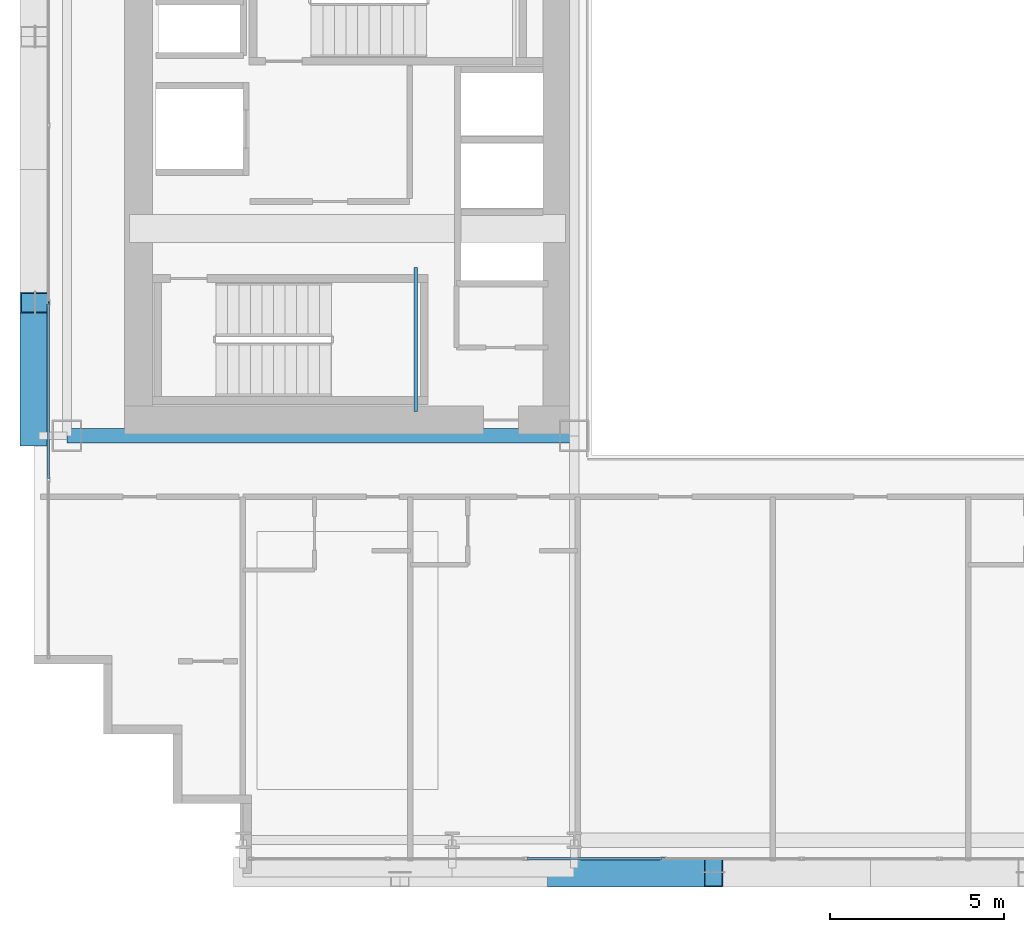
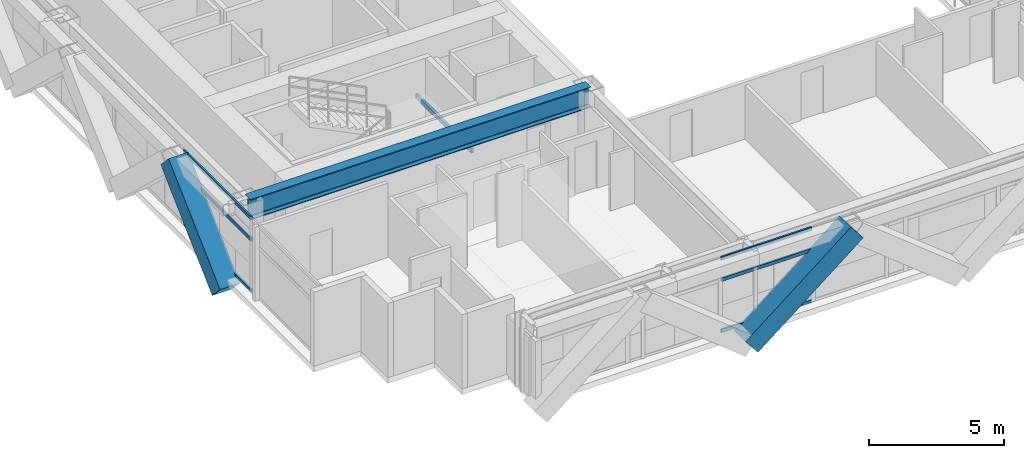
# One storey, part 4 of 35: 8 members, 2 beams, 2 elements without a shape of their own.
"""IFC4 building model written with IfcOpenShell, lengths in metres."""

from ifc_helpers import new_model, si_unit, direction, frame, origin, origin_2d, place, context, subcontext, project, spatial, hollow_rectangle, i_section, extrude, source, transform, mapped, material, layer, layer_set, material_profile, profile_set, type_object, element, aggregate, save


model = new_model("IFC4")

# Units and contexts
model_context = context("Model", 3, precision=1e-05, world=origin(), true_north=direction((0.0, 1.0)))
body_context = subcontext(model_context, "Body", "Model", "MODEL_VIEW")
ifc_project = project(units=[si_unit("LENGTHUNIT", "METRE"), si_unit("AREAUNIT", "SQUARE_METRE"), si_unit("VOLUMEUNIT", "CUBIC_METRE"), si_unit("PLANEANGLEUNIT", "RADIAN"), si_unit("MASSUNIT", "GRAM", prefix="KILO")], contexts=[model_context])

# Site, building, storey
site_placement = place(None, origin())
site = spatial("IfcSite", under=ifc_project, at=site_placement, CompositionType="ELEMENT")
building_placement = place(site_placement, origin())
building = spatial("IfcBuilding", under=site, at=building_placement, Name="Ocotamira Hotel", CompositionType="ELEMENT")
storey_placement = place(building_placement, frame((0.0, 0.0, 70.800048828125)))
storey = spatial("IfcBuildingStorey", under=building, at=storey_placement, Name="L17", CompositionType="ELEMENT", Elevation=70.800048828125)

# Beams
ifc_material_1 = material(Name="Steel ASTM A500 Grade C", Category="steel")
ifc_material_profile_1 = material_profile(ifc_material_1, hollow_rectangle(XDim=0.10009765625, YDim=0.199951171875, WallThickness=0.008056640625, at=origin_2d()), Name="HSS200X100X8")
ifc_profile_set_1 = profile_set([ifc_material_profile_1], Name="Steel ASTM A500 Grade C")
beam_type_1 = type_object("IfcBeamType", Name="BM-STLDG-HSS200", PredefinedType="BEAM", material=ifc_profile_set_1)
shared_shape_1 = source(origin(), body_context, "Body", "SweptSolid", [
    extrude(hollow_rectangle(XDim=0.10009765625, YDim=0.199951171875, WallThickness=0.008056640625, at=origin_2d()), origin(), (0.0, 0.0, 1.0), 4.1201171875),
])
beam_1_placement = place(storey_placement, frame((18.949951171875, 15.25, 1.5), z_axis=(0.0, 1.0, 0.0), x_axis=(-1.0, 0.0, 0.0)))
element("IfcBeam", 1, at=beam_1_placement, inside=storey, type_object=beam_type_1, Name="L17 Stair ST-1 Landing Bearer 1", PredefinedType="BEAM", context=body_context, shape_type="MappedRepresentation", body=[
    mapped(shared_shape_1, transform((0.0, 0.0, 0.0), scale=1.0)),
])
ifc_material_2 = material(Name="Steel ASTM A992 Grade 50", Category="steel")
ifc_material_profile_2 = material_profile(ifc_material_2, i_section(OverallWidth=0.41796875, OverallDepth=0.927001953125, WebThickness=0.019287109375, FlangeThickness=0.031982421875, FilletRadius=0.02392578125, at=origin_2d()), Name="W36X231")
ifc_profile_set_2 = profile_set([ifc_material_profile_2], Name="Steel ASTM A992 Grade 50")
beam_type_2 = type_object("IfcBeamType", Name="BM-GIRD-W36X231", PredefinedType="BEAM", material=ifc_profile_set_2)
shared_shape_2 = source(origin(), body_context, "Body", "SweptSolid", [
    extrude(i_section(OverallWidth=0.41796875, OverallDepth=0.927001953125, WebThickness=0.019287109375, FlangeThickness=0.031982421875, FilletRadius=0.02392578125, at=origin_2d()), origin(), (0.0, 0.0, 1.0), 14.550048828125),
])
beam_2_placement = place(storey_placement, frame((8.949951171875, 14.550048828125, 2.886474609375), z_axis=(1.0, 0.0, 0.0), x_axis=(0.0, 1.0, 0.0)))
element("IfcBeam", 2, at=beam_2_placement, inside=storey, type_object=beam_type_2, Name="L17 Girder Y14.55 X8.95-23.5", PredefinedType="BEAM", context=body_context, shape_type="MappedRepresentation", body=[
    mapped(shared_shape_2, transform((0.0, 0.0, 0.0), scale=1.0)),
])

# Members
ifc_material_3 = material(Name="Pale-metal coated steel ASTM A913 Grade 65", Category="steel")
ifc_material_profile_3 = material_profile(ifc_material_3, hollow_rectangle(XDim=0.85009765625, YDim=0.85009765625, WallThickness=0.035888671875, at=origin_2d()), Name="BOX850X850X36")
ifc_profile_set_3 = profile_set([ifc_material_profile_3], Name="Pale-metal coated steel ASTM A913 Grade 65")
member_type_1 = type_object("IfcMemberType", Name="MEM-EXO-BOX850", PredefinedType="BRACE", material=ifc_profile_set_3)
shared_shape_3 = source(origin(), body_context, "Body", "SweptSolid", [
    extrude(hollow_rectangle(XDim=0.85009765625, YDim=0.85009765625, WallThickness=0.035888671875, at=origin_2d()), origin(), (0.0, 0.0, 1.0), 5.7626953125),
])
member_1_placement = place(storey_placement, frame((23.0, 2.030029296875, -0.5), z_axis=(0.780881208953, 0.0, 0.624679547852), x_axis=(0.0, 1.0, 0.0)))
element("IfcMember", 3, at=member_1_placement, inside=storey, type_object=member_type_1, Name="L17 Exoskeleton Diagrid S1.1", PredefinedType="BRACE", context=body_context, shape_type="MappedRepresentation", body=[
    mapped(shared_shape_3, transform((0.0, 0.0, 0.0), scale=1.0)),
])
shared_shape_4 = source(origin(), body_context, "Body", "SweptSolid", [
    extrude(hollow_rectangle(XDim=0.85009765625, YDim=0.85009765625, WallThickness=0.035888671875, at=origin_2d()), origin(), (0.0, 0.0, 1.0), 5.24658203125),
])
member_2_placement = place(storey_placement, frame((8.030029296875, 14.550048828125, -0.5), z_axis=(0.0, 0.72746596067, 0.686143772154), x_axis=(-1.0, 0.0, 0.0)))
element("IfcMember", 4, at=member_2_placement, inside=storey, type_object=member_type_1, Name="L17 Exoskeleton Diagrid W0.1", PredefinedType="BRACE", context=body_context, shape_type="MappedRepresentation", body=[
    mapped(shared_shape_4, transform((0.0, 0.0, 0.0), scale=1.0)),
])

# Curtain wall, members
ifc_material_4 = material(Name="Anodised pale-metal aluminium and solar glass", Category="aluminium")
ifc_layer = layer(ifc_material_4, 0.179931640625)
ifc_layer_set = layer_set([ifc_layer], Name="Anodised pale-metal aluminium and solar glass")
curtain_wall_type = type_object("IfcCurtainWallType", Name="CW-SYS2-Z1", PredefinedType="NOTDEFINED", material=ifc_layer_set)
curtain_wall_1_placement = place(storey_placement, origin())
curtain_wall_1 = element("IfcCurtainWall", 5, at=curtain_wall_1_placement, inside=storey, type_object=curtain_wall_type, Name="L17 Curtain Wall CW-2 CW-L17-S1", PredefinedType="NOTDEFINED")
ifc_material_5 = material(Name="Anodised pale-metal aluminium 6063-T6", Category="aluminium")
ifc_material_profile_4 = material_profile(ifc_material_5, hollow_rectangle(XDim=0.074951171875, YDim=0.14990234375, WallThickness=0.006103515625, at=origin_2d()), Name="HSS150X75X6")
ifc_profile_set_4 = profile_set([ifc_material_profile_4], Name="Anodised pale-metal aluminium 6063-T6")
member_type_2 = type_object("IfcMemberType", Name="CWT-150X75", PredefinedType="USERDEFINED", material=ifc_profile_set_4)
shared_shape_5 = source(origin(), body_context, "Body", "SweptSolid", [
    extrude(hollow_rectangle(XDim=0.074951171875, YDim=0.14990234375, WallThickness=0.006103515625, at=origin_2d()), origin(), (0.0, 0.0, 1.0), 3.87548828125),
])
member_3_placement = place(storey_placement, frame((22.151123046875, 2.419921875, 0.037353515625), z_axis=(1.0, 0.0, 0.0), x_axis=(0.0, 1.0, 0.0)))
member_3 = element("IfcMember", 6, at=member_3_placement, type_object=member_type_2, Name="CW-2 transom 3.1", ObjectType="TRANSOM", PredefinedType="USERDEFINED", context=body_context, shape_type="MappedRepresentation", body=[
    mapped(shared_shape_5, transform((0.0, 0.0, 0.0), scale=1.0)),
])
member_4_placement = place(storey_placement, frame((22.151123046875, 2.419921875, 2.349853515625), z_axis=(1.0, 0.0, 0.0), x_axis=(0.0, 1.0, 0.0)))
member_4 = element("IfcMember", 7, at=member_4_placement, type_object=member_type_2, Name="CW-2 transom 3.2", ObjectType="TRANSOM", PredefinedType="USERDEFINED", context=body_context, shape_type="MappedRepresentation", body=[
    mapped(shared_shape_5, transform((0.0, 0.0, 0.0), scale=1.0)),
])
member_5_placement = place(storey_placement, frame((22.151123046875, 2.419921875, 3.3125), z_axis=(1.0, 0.0, 0.0), x_axis=(0.0, 1.0, 0.0)))
member_5 = element("IfcMember", 8, at=member_5_placement, type_object=member_type_2, Name="CW-2 transom 3.3", ObjectType="TRANSOM", PredefinedType="USERDEFINED", context=body_context, shape_type="MappedRepresentation", body=[
    mapped(shared_shape_5, transform((0.0, 0.0, 0.0), scale=1.0)),
])
aggregate(curtain_wall_1, [member_3, member_4, member_5])

curtain_wall_2_placement = place(storey_placement, origin())
curtain_wall_2 = element("IfcCurtainWall", 9, at=curtain_wall_2_placement, inside=storey, type_object=curtain_wall_type, Name="L17 Curtain Wall CW-2 CW-L17-W", PredefinedType="NOTDEFINED")
shared_shape_6 = source(origin(), body_context, "Body", "SweptSolid", [
    extrude(hollow_rectangle(XDim=0.074951171875, YDim=0.14990234375, WallThickness=0.006103515625, at=origin_2d()), origin(), (0.0, 0.0, 1.0), 5.005859375),
])
member_6_placement = place(storey_placement, frame((8.419921875, 13.32568359375, 0.037353515625), z_axis=(0.0, 1.0, 0.0), x_axis=(-1.0, 0.0, 0.0)))
member_6 = element("IfcMember", 10, at=member_6_placement, type_object=member_type_2, Name="CW-2 transom 2.1", ObjectType="TRANSOM", PredefinedType="USERDEFINED", context=body_context, shape_type="MappedRepresentation", body=[
    mapped(shared_shape_6, transform((0.0, 0.0, 0.0), scale=1.0)),
])
member_7_placement = place(storey_placement, frame((8.419921875, 13.32568359375, 2.349853515625), z_axis=(0.0, 1.0, 0.0), x_axis=(-1.0, 0.0, 0.0)))
member_7 = element("IfcMember", 11, at=member_7_placement, type_object=member_type_2, Name="CW-2 transom 2.2", ObjectType="TRANSOM", PredefinedType="USERDEFINED", context=body_context, shape_type="MappedRepresentation", body=[
    mapped(shared_shape_6, transform((0.0, 0.0, 0.0), scale=1.0)),
])
member_8_placement = place(storey_placement, frame((8.419921875, 13.32568359375, 3.3125), z_axis=(0.0, 1.0, 0.0), x_axis=(-1.0, 0.0, 0.0)))
member_8 = element("IfcMember", 12, at=member_8_placement, type_object=member_type_2, Name="CW-2 transom 2.3", ObjectType="TRANSOM", PredefinedType="USERDEFINED", context=body_context, shape_type="MappedRepresentation", body=[
    mapped(shared_shape_6, transform((0.0, 0.0, 0.0), scale=1.0)),
])
aggregate(curtain_wall_2, [member_6, member_7, member_8])

save(model, "model.ifc")
